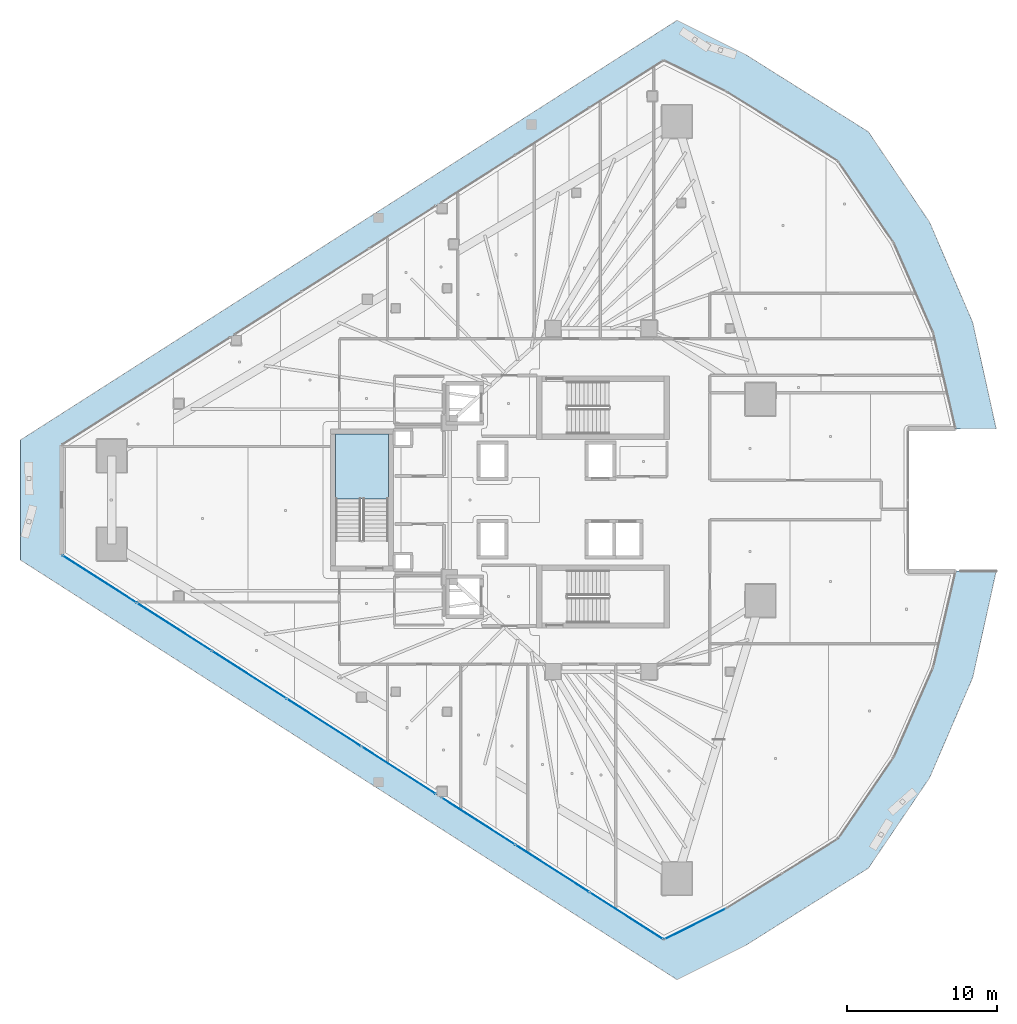
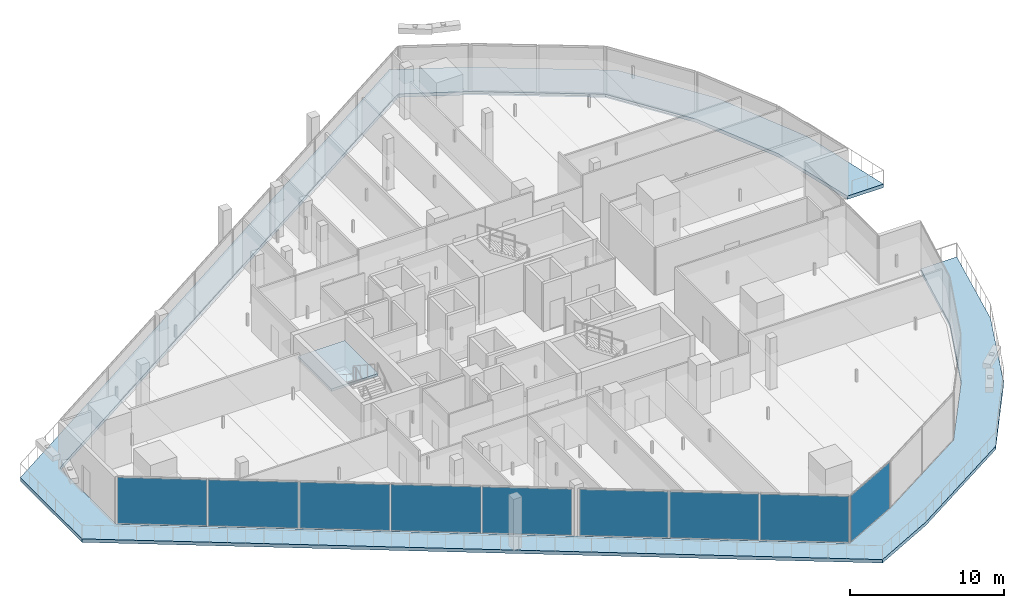
# One storey, part 23 of 39: 9 plates, 2 slabs, 4 elements without a shape of their own.
"""IFC4 building model written with IfcOpenShell, lengths in metres."""

from ifc_helpers import new_model, si_unit, direction, frame, origin, origin_2d, place, context, subcontext, project, spatial, polyline, rectangle, outline, extrude, material, layer, layer_set, type_object, element, aggregate, save


model = new_model("IFC4")

# Units and contexts
model_context = context("Model", 3, precision=1e-05, world=origin(), true_north=direction((0.0, 1.0)))
body_context = subcontext(model_context, "Body", "Model", "MODEL_VIEW")
ifc_project = project(units=[si_unit("LENGTHUNIT", "METRE"), si_unit("AREAUNIT", "SQUARE_METRE"), si_unit("VOLUMEUNIT", "CUBIC_METRE"), si_unit("PLANEANGLEUNIT", "RADIAN"), si_unit("MASSUNIT", "GRAM", prefix="KILO")], contexts=[model_context])

# Site, building, storey
site_placement = place(None, origin())
site = spatial("IfcSite", under=ifc_project, at=site_placement, CompositionType="ELEMENT")
building_placement = place(site_placement, origin())
building = spatial("IfcBuilding", under=site, at=building_placement, Name="Qorvath Tower", CompositionType="ELEMENT")
storey_placement = place(building_placement, frame((0.0, 0.0, 162.449951171875)))
storey = spatial("IfcBuildingStorey", under=building, at=storey_placement, Name="L37", CompositionType="ELEMENT", Elevation=162.449951171875)

# Curtain wall, plates
ifc_material_1 = material(Name="Anodised aluminium and triple low-E glass", Category="aluminium")
ifc_layer_1 = layer(ifc_material_1, 0.179931640625)
ifc_layer_set_1 = layer_set([ifc_layer_1], Name="CW-SYS-3")
curtain_wall_type = type_object("IfcCurtainWallType", Name="CW-SYS-3", PredefinedType="NOTDEFINED", material=ifc_layer_set_1)
curtain_wall_1_placement = place(storey_placement, origin())
curtain_wall_1 = element("IfcCurtainWall", 1, at=curtain_wall_1_placement, inside=storey, type_object=curtain_wall_type, Name="Curtain Wall CW-3 CW-T-L37-2.1", PredefinedType="NOTDEFINED")
ifc_material_2 = material(Name="Low-E triple insulated glass", Category="glass")
ifc_layer_2 = layer(ifc_material_2, 0.031982421875)
ifc_layer_set_2 = layer_set([ifc_layer_2], Name="CWP-GLZ-32")
plate_type = type_object("IfcPlateType", Name="CWP-GLZ-32", PredefinedType="CURTAIN_PANEL", material=ifc_layer_set_2)
plate_1_placement = place(storey_placement, frame((-53.868896484375, -5.27294921875, 0.065185546875), z_axis=(0.0, 0.0, 1.0), x_axis=(0.842603847411, -0.538533895245, 0.0)))
plate_1 = element("IfcPlate", 2, at=plate_1_placement, type_object=plate_type, Name="CW-3 panel 1.1", PredefinedType="CURTAIN_PANEL", context=body_context, shape_type="SweptSolid", body=[
    extrude(rectangle(XDim=5.835693359375, YDim=0.031982421875, at=origin_2d()), origin(), (0.0, 0.0, 1.0), 3.64990234375),
])
plate_2_placement = place(storey_placement, frame((-48.88330078125, -8.45947265625, 0.065185546875), z_axis=(0.0, 0.0, 1.0), x_axis=(0.842603847411, -0.538533895245, 0.0)))
plate_2 = element("IfcPlate", 3, at=plate_2_placement, type_object=plate_type, Name="CW-3 panel 2.1", PredefinedType="CURTAIN_PANEL", context=body_context, shape_type="SweptSolid", body=[
    extrude(rectangle(XDim=5.8681640625, YDim=0.031982421875, at=origin_2d()), origin(), (0.0, 0.0, 1.0), 3.64990234375),
])
plate_3_placement = place(storey_placement, frame((-43.884033203125, -11.654541015625, 0.065185546875), z_axis=(0.0, 0.0, 1.0), x_axis=(0.842603847411, -0.538533895245, 0.0)))
plate_3 = element("IfcPlate", 4, at=plate_3_placement, type_object=plate_type, Name="CW-3 panel 3.1", PredefinedType="CURTAIN_PANEL", context=body_context, shape_type="SweptSolid", body=[
    extrude(rectangle(XDim=5.8681640625, YDim=0.031982421875, at=origin_2d()), origin(), (0.0, 0.0, 1.0), 3.64990234375),
])
plate_4_placement = place(storey_placement, frame((-38.885009765625, -14.849853515625, 0.065185546875), z_axis=(0.0, 0.0, 1.0), x_axis=(0.842603847411, -0.538533895245, 0.0)))
plate_4 = element("IfcPlate", 5, at=plate_4_placement, type_object=plate_type, Name="CW-3 panel 4.1", PredefinedType="CURTAIN_PANEL", context=body_context, shape_type="SweptSolid", body=[
    extrude(rectangle(XDim=5.8681640625, YDim=0.031982421875, at=origin_2d()), origin(), (0.0, 0.0, 1.0), 3.64990234375),
])
plate_5_placement = place(storey_placement, frame((-33.8994140625, -18.036376953125, 0.065185546875), z_axis=(0.0, 0.0, 1.0), x_axis=(0.842603847411, -0.538533895245, 0.0)))
plate_5 = element("IfcPlate", 6, at=plate_5_placement, type_object=plate_type, Name="CW-3 panel 5.1", PredefinedType="CURTAIN_PANEL", context=body_context, shape_type="SweptSolid", body=[
    extrude(rectangle(XDim=5.835693359375, YDim=0.031982421875, at=origin_2d()), origin(), (0.0, 0.0, 1.0), 3.64990234375),
])
aggregate(curtain_wall_1, [plate_1, plate_2, plate_3, plate_4, plate_5])

curtain_wall_2_placement = place(storey_placement, origin())
curtain_wall_2 = element("IfcCurtainWall", 7, at=curtain_wall_2_placement, inside=storey, type_object=curtain_wall_type, Name="Curtain Wall CW-3 CW-T-L37-2.2", PredefinedType="NOTDEFINED")
plate_6_placement = place(storey_placement, frame((-28.60009765625, -21.423095703125, 0.065185546875), z_axis=(0.0, 0.0, 1.0), x_axis=(0.842600128752, -0.53853971351, 0.0)))
plate_6 = element("IfcPlate", 8, at=plate_6_placement, type_object=plate_type, Name="CW-3 panel 1.1", PredefinedType="CURTAIN_PANEL", context=body_context, shape_type="SweptSolid", body=[
    extrude(rectangle(XDim=5.785400390625, YDim=0.031982421875, at=origin_2d()), origin(), (0.0, 0.0, 1.0), 3.64990234375),
])
plate_7_placement = place(storey_placement, frame((-23.656982421875, -24.58251953125, 0.065185546875), z_axis=(0.0, 0.0, 1.0), x_axis=(0.842600128752, -0.53853971351, 0.0)))
plate_7 = element("IfcPlate", 9, at=plate_7_placement, type_object=plate_type, Name="CW-3 panel 2.1", PredefinedType="CURTAIN_PANEL", context=body_context, shape_type="SweptSolid", body=[
    extrude(rectangle(XDim=5.81787109375, YDim=0.031982421875, at=origin_2d()), origin(), (0.0, 0.0, 1.0), 3.64990234375),
])
plate_8_placement = place(storey_placement, frame((-18.7138671875, -27.741943359375, 0.065185546875), z_axis=(0.0, 0.0, 1.0), x_axis=(0.842600128752, -0.53853971351, 0.0)))
plate_8 = element("IfcPlate", 10, at=plate_8_placement, type_object=plate_type, Name="CW-3 panel 3.1", PredefinedType="CURTAIN_PANEL", context=body_context, shape_type="SweptSolid", body=[
    extrude(rectangle(XDim=5.785400390625, YDim=0.031982421875, at=origin_2d()), origin(), (0.0, 0.0, 1.0), 3.64990234375),
])
aggregate(curtain_wall_2, [plate_6, plate_7, plate_8])

# Curtain wall, plate
curtain_wall_3_placement = place(storey_placement, origin())
curtain_wall_3 = element("IfcCurtainWall", 11, at=curtain_wall_3_placement, inside=storey, type_object=curtain_wall_type, Name="Curtain Wall CW-3 CW-T-L37-3.1", PredefinedType="NOTDEFINED")
plate_9_placement = place(storey_placement, frame((-14.12646484375, -28.287109375, 0.065185546875), z_axis=(0.0, 0.0, 1.0), x_axis=(0.894439996707, 0.447187983169, 0.0)))
plate_9 = element("IfcPlate", 12, at=plate_9_placement, type_object=plate_type, Name="CW-3 panel 1.1", PredefinedType="CURTAIN_PANEL", context=body_context, shape_type="SweptSolid", body=[
    extrude(rectangle(XDim=4.55517578125, YDim=0.031982421875, at=origin_2d()), origin(), (0.0, 0.0, 1.0), 3.64990234375),
])
aggregate(curtain_wall_3, [plate_9])

# Stair, slab
ifc_material_3 = material(Name="Concrete C50/60", Category="concrete")
stair_type = type_object("IfcStairType", Name="ST-H405", PredefinedType="HALF_TURN_STAIR", material=ifc_material_3)
stair_placement = place(storey_placement, origin())
stair = element("IfcStair", 13, at=stair_placement, inside=storey, type_object=stair_type, Name="L37 Tower Exit Stair 3", PredefinedType="HALF_TURN_STAIR")
ifc_material_4 = material(Name="Concrete C50/60", Category="concrete")
ifc_layer_3 = layer(ifc_material_4, 0.199951171875)
ifc_layer_set_3 = layer_set([ifc_layer_3], Name="SL-LND-200")
slab_type_1 = type_object("IfcSlabType", Name="SL-LND-200", PredefinedType="LANDING", material=ifc_layer_set_3)
slab_1_placement = place(storey_placement, frame((0.0, 0.0, 1.824951171875)))
slab_1 = element("IfcSlab", 14, at=slab_1_placement, type_object=slab_type_1, Name="TS3 landing 1", PredefinedType="LANDING", context=body_context, shape_type="SweptSolid", body=[
    extrude(outline(polyline([(-34.60009765625, 0.080078125), (-34.60009765625, 4.39990234375), (-38.110107421875, 4.39990234375), (-38.110107421875, 0.080078125), (-34.60009765625, 0.080078125)])), origin(), (0.0, 0.0, 1.0), 0.2001953125),
])
aggregate(stair, [slab_1])

# Slab
ifc_material_5 = material(Name="Precast concrete C45/55", Category="concrete")
ifc_layer_4 = layer(ifc_material_5, 0.27001953125)
ifc_layer_set_4 = layer_set([ifc_layer_4], Name="SL-LOG-270")
slab_type_2 = type_object("IfcSlabType", Name="SL-LOG-270", PredefinedType="FLOOR", material=ifc_layer_set_4)
slab_2_placement = place(storey_placement, frame((0.0, 0.0, -0.27001953125)))
element("IfcSlab", 15, at=slab_2_placement, inside=storey, type_object=slab_type_2, Name="Tower L37 Perimeter Loggia and Terrace Slab", PredefinedType="FLOOR", context=body_context, shape_type="SweptSolid", body=[
    extrude(outline(polyline([(3.24609375, -4.751953125), (1.7626953125, -11.153076171875), (-0.87841796875, -17.169677734375), (-4.586181640625, -22.593994140625), (-12.031005859375, -27.239501953125), (-16.2216796875, -29.334716796875), (-56.38232421875, -3.666748046875), (-56.38232421875, 3.666748046875), (-16.2216796875, 29.334716796875), (-12.031005859375, 27.239501953125), (-4.586181640625, 22.593994140625), (-0.87841796875, 17.169677734375), (1.7626953125, 11.153076171875), (3.24609375, 4.751953125), (5.962158203125, 4.751953125), (4.389892578125, 11.85693359375), (1.511962890625, 18.54052734375), (-2.569091796875, 24.565185546875), (-10.760498046875, 29.717041015625), (-15.332275390625, 32.0029296875), (-59.14599609375, 4.00048828125), (-59.14599609375, -4.00048828125), (-15.332275390625, -32.0029296875), (-10.760498046875, -29.717041015625), (-2.569091796875, -24.565185546875), (1.511962890625, -18.54052734375), (4.389892578125, -11.85693359375), (5.962158203125, -4.751953125), (3.24609375, -4.751953125)])), origin(), (0.0, 0.0, 1.0), 0.27001953125),
])

save(model, "model.ifc")
